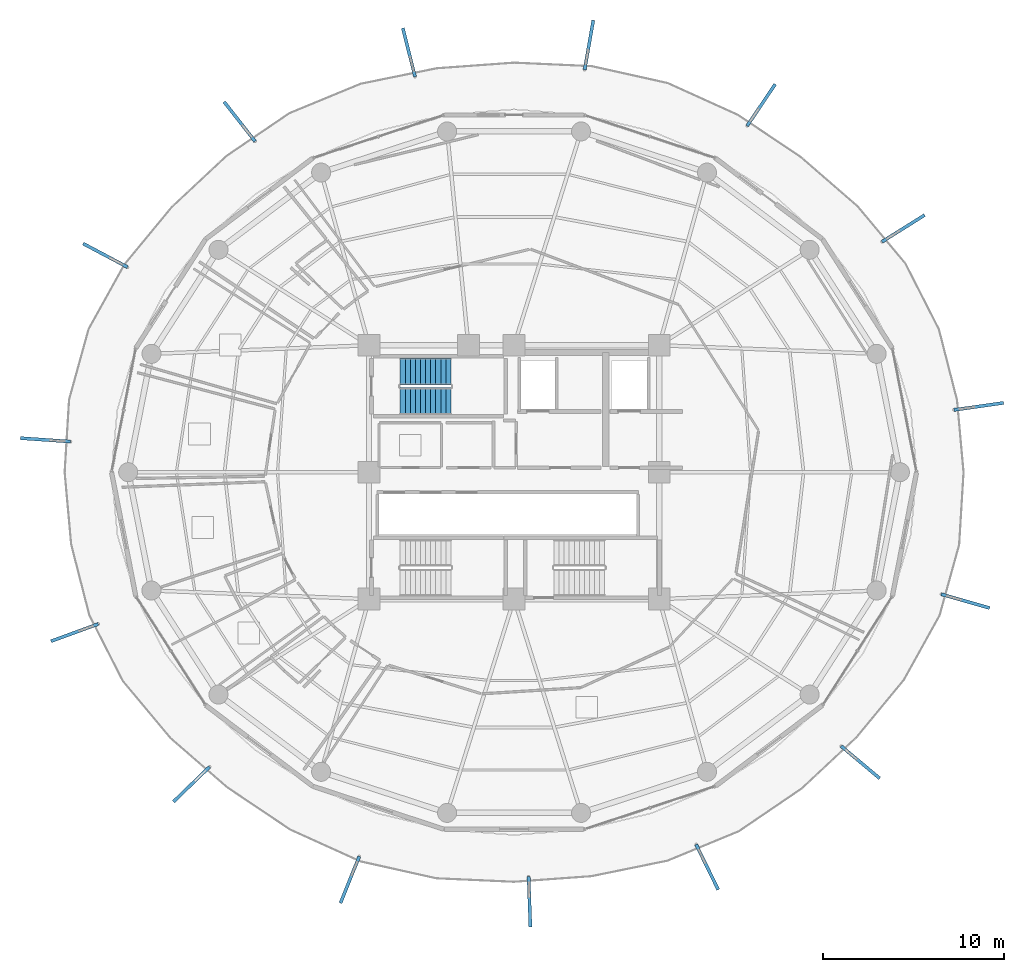
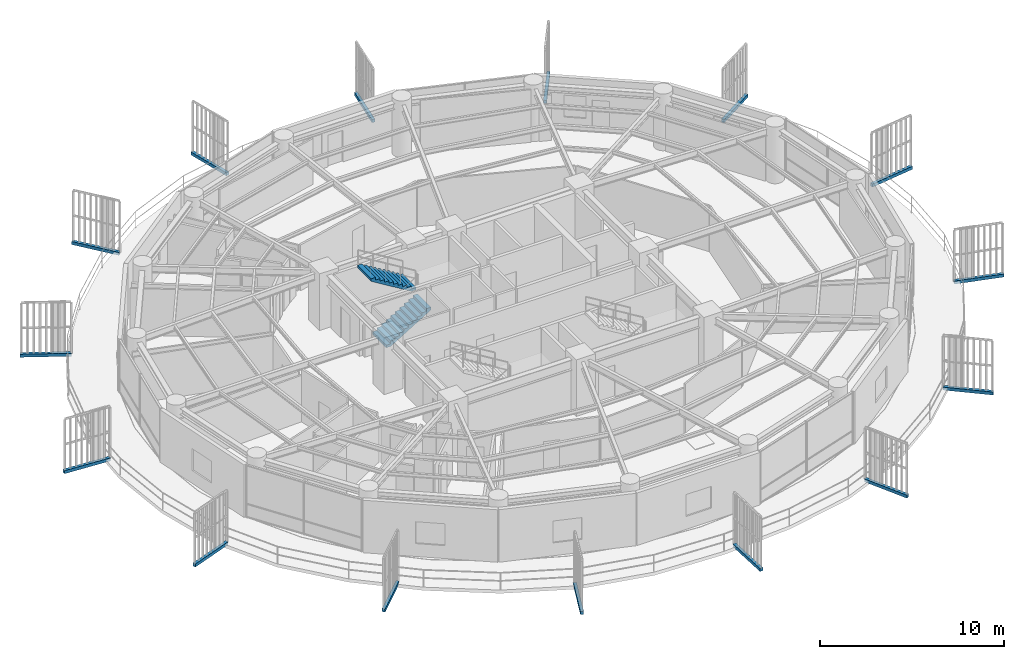
# One storey, part 26 of 30: 15 discrete accessories, 2 stair flights, 1 element without a shape of its own.
"""IFC4 building model written with IfcOpenShell, lengths in metres."""

from ifc_helpers import new_model, si_unit, direction, frame, origin, origin_2d, place, context, subcontext, project, spatial, polyline, rectangle, outline, extrude, source, transform, mapped, material, type_object, element, aggregate, save


model = new_model("IFC4")

# Units and contexts
model_context = context("Model", 3, precision=1e-05, world=origin(), true_north=direction((0.0, 1.0)))
body_context = subcontext(model_context, "Body", "Model", "MODEL_VIEW")
ifc_project = project(units=[si_unit("LENGTHUNIT", "METRE"), si_unit("AREAUNIT", "SQUARE_METRE"), si_unit("VOLUMEUNIT", "CUBIC_METRE"), si_unit("PLANEANGLEUNIT", "RADIAN"), si_unit("MASSUNIT", "GRAM", prefix="KILO")], contexts=[model_context])

# Site, building, storey
site_placement = place(None, origin())
site = spatial("IfcSite", under=ifc_project, at=site_placement, CompositionType="ELEMENT")
building_placement = place(site_placement, origin())
building = spatial("IfcBuilding", under=site, at=building_placement, Name="Kelanora Arch Commons", CompositionType="ELEMENT")
storey_placement = place(building_placement, frame((0.0, 0.0, 211.949951171875)))
storey = spatial("IfcBuildingStorey", under=building, at=storey_placement, Name="L54", CompositionType="ELEMENT", Elevation=211.949951171875)

# Stair, stair flights
ifc_material_1 = material(Name="Concrete C40/50", Category="concrete")
stair_type = type_object("IfcStairType", Name="STR-DL-375", PredefinedType="HALF_TURN_STAIR", material=ifc_material_1)
stair_placement = place(storey_placement, origin())
stair = element("IfcStair", 1, at=stair_placement, inside=storey, type_object=stair_type, Name="L54 ST-T1", PredefinedType="HALF_TURN_STAIR")
stair_flight_type = type_object("IfcStairFlightType", Name="FLT-DL-375", PredefinedType="STRAIGHT", material=ifc_material_1)
stair_flight_1_placement = place(storey_placement, frame((67.719970703125, 61.919921875, 0.0), z_axis=(0.0, 0.0, 1.0), x_axis=(1.0, 0.0, 0.0)))
stair_flight_1 = element("IfcStairFlight", 2, at=stair_flight_1_placement, type_object=stair_flight_type, Name="ST-T1 flight 1", NumberOfRisers=11, NumberOfTreads=10, PredefinedType="STRAIGHT", RiserHeight=0.170454545, TreadLength=0.28, context=body_context, shape_type="SweptSolid", body=[
    extrude(outline(polyline([(0.0, 0.0), (0.0, 0.17041015625), (0.280029296875, 0.17041015625), (0.280029296875, 0.3408203125), (0.56005859375, 0.3408203125), (0.56005859375, 0.511474609375), (0.840087890625, 0.511474609375), (0.840087890625, 0.681884765625), (1.1201171875, 0.681884765625), (1.1201171875, 0.852294921875), (1.39990234375, 0.852294921875), (1.39990234375, 1.022705078125), (1.679931640625, 1.022705078125), (1.679931640625, 1.193115234375), (1.9599609375, 1.193115234375), (1.9599609375, 1.363525390625), (2.239990234375, 1.363525390625), (2.239990234375, 1.5341796875), (2.52001953125, 1.5341796875), (2.52001953125, 1.70458984375), (2.800048828125, 1.70458984375), (2.800048828125, 1.875), (2.800048828125, 1.529052734375), (0.288330078125, 0.0), (0.0, 0.0)])), frame((0.0, 0.739990234375, 0.0), z_axis=(0.0, -1.0, 0.0), x_axis=(1.0, 0.0, 0.0)), (0.0, 0.0, 1.0), 1.47998046875),
])
stair_flight_2_placement = place(storey_placement, frame((70.52001953125, 63.550048828125, 1.875), z_axis=(0.0, 0.0, 1.0), x_axis=(-1.0, 0.0, 0.0)))
stair_flight_2 = element("IfcStairFlight", 3, at=stair_flight_2_placement, type_object=stair_flight_type, Name="ST-T1 flight 2", NumberOfRisers=11, NumberOfTreads=10, PredefinedType="STRAIGHT", RiserHeight=0.170454545, TreadLength=0.28, context=body_context, shape_type="SweptSolid", body=[
    extrude(outline(polyline([(0.0, 0.0), (0.0, 0.17041015625), (0.280029296875, 0.17041015625), (0.280029296875, 0.3408203125), (0.56005859375, 0.3408203125), (0.56005859375, 0.511474609375), (0.840087890625, 0.511474609375), (0.840087890625, 0.681884765625), (1.1201171875, 0.681884765625), (1.1201171875, 0.852294921875), (1.39990234375, 0.852294921875), (1.39990234375, 1.022705078125), (1.679931640625, 1.022705078125), (1.679931640625, 1.193115234375), (1.9599609375, 1.193115234375), (1.9599609375, 1.363525390625), (2.239990234375, 1.363525390625), (2.239990234375, 1.5341796875), (2.52001953125, 1.5341796875), (2.52001953125, 1.70458984375), (2.800048828125, 1.70458984375), (2.800048828125, 1.875), (2.800048828125, 1.529052734375), (0.288330078125, 0.0), (0.0, 0.0)])), frame((0.0, 0.739990234375, 0.0), z_axis=(0.0, -1.0, 0.0), x_axis=(1.0, 0.0, 0.0)), (0.0, 0.0, 1.0), 1.47998046875),
])
aggregate(stair, [stair_flight_1, stair_flight_2])

# Discrete accessories
ifc_material_2 = material(Name="Stainless steel 316 marine fin bracket", Category="steel")
discrete_accessory_type = type_object("IfcDiscreteAccessoryType", Name="ACC-FIN-BRK", PredefinedType="BRACKET", material=ifc_material_2)
shared_shape = source(origin(), body_context, "Body", "SweptSolid", [
    extrude(rectangle(XDim=2.77001953125, YDim=0.179931640625, at=origin_2d()), origin(), (0.0, 0.0, 1.0), 0.199951171875),
])
for number, where, z_axis, x_axis, name in (
    (4, (93.099853515625, 42.005126953125, -0.16015625), (0.0, 0.0, 1.0), (0.766717148576, -0.641985057521, 0.0), "Sweeping Fin Cantilever Spine Bracket L54-00"),
    (5, (98.89013671875, 50.88916015625, -0.16015625), (0.0, 0.0, 1.0), (0.961549815579, -0.274630573972, 0.0), "Sweeping Fin Cantilever Spine Bracket L54-01"),
    (6, (99.626708984375, 61.627197265625, -0.16015625), (0.0, 0.0, 1.0), (0.990121784063, 0.140210030757, 0.0), "Sweeping Fin Cantilever Spine Bracket L54-02"),
    (7, (95.466552734375, 71.443115234375, -0.16015625), (0.0, 0.0, 1.0), (0.847492701108, 0.5308070474, 0.0), "Sweeping Fin Cantilever Spine Bracket L54-03"),
    (8, (87.627685546875, 78.246826171875, -0.16015625), (0.0, 0.0, 1.0), (0.558324430902, 0.829622703317, 0.0), "Sweeping Fin Cantilever Spine Bracket L54-04"),
    (9, (78.130126953125, 81.557373046875, -0.16015625), (0.0, 0.0, 1.0), (0.172616794375, 0.984989056944, 0.0), "Sweeping Fin Cantilever Spine Bracket L54-05"),
    (10, (68.203369140625, 81.15283203125, -0.16015625), (0.0, 0.0, 1.0), (-0.242937854074, 0.970041854282, 0.0), "Sweeping Fin Cantilever Spine Bracket L54-06"),
    (11, (58.8623046875, 77.336181640625, -0.16015625), (0.0, 0.0, 1.0), (-0.616486340532, 0.78736560246, 0.0), "Sweeping Fin Cantilever Spine Bracket L54-07"),
    (12, (51.457763671875, 69.95751953125, -0.16015625), (0.0, 0.0, 1.0), (-0.88343873811, 0.468546684981, 0.0), "Sweeping Fin Cantilever Spine Bracket L54-08"),
    (13, (48.155029296875, 59.781982421875, -0.16015625), (0.0, 0.0, 1.0), (-0.997636552079, 0.068711789056, 0.0), "Sweeping Fin Cantilever Spine Bracket L54-09"),
    (14, (49.768310546875, 49.153564453125, -0.16015625), (0.0, 0.0, 1.0), (-0.939333942951, -0.343003999424, 0.0), "Sweeping Fin Cantilever Spine Bracket L54-10"),
    (15, (56.216796875, 40.79345703125, -0.16015625), (0.0, 0.0, 1.0), (-0.718611961505, -0.69541128031, 0.0), "Sweeping Fin Cantilever Spine Bracket L54-11"),
    (16, (64.9453125, 35.525634765625, -0.16015625), (0.0, 0.0, 1.0), (-0.37363544353, -0.927575633217, 0.0), "Sweeping Fin Cantilever Spine Bracket L54-12"),
    (17, (74.8505859375, 34.30810546875, -0.16015625), (0.0, 0.0, 1.0), (0.035946037002, -0.999353732381, 0.0), "Sweeping Fin Cantilever Spine Bracket L54-13"),
    (18, (84.6474609375, 36.2236328125, -0.16015625), (0.0, 0.0, 1.0), (0.439312121178, -0.898334492373, 0.0), "Sweeping Fin Cantilever Spine Bracket L54-14"),
):
    element("IfcDiscreteAccessory", number, at=place(storey_placement, frame(where, z_axis=z_axis, x_axis=x_axis)), inside=storey, type_object=discrete_accessory_type, Name=name, PredefinedType="BRACKET", context=body_context, shape_type="MappedRepresentation", body=[
        mapped(shared_shape, transform((0.0, 0.0, 0.0), scale=1.0)),
    ])

save(model, "model.ifc")
